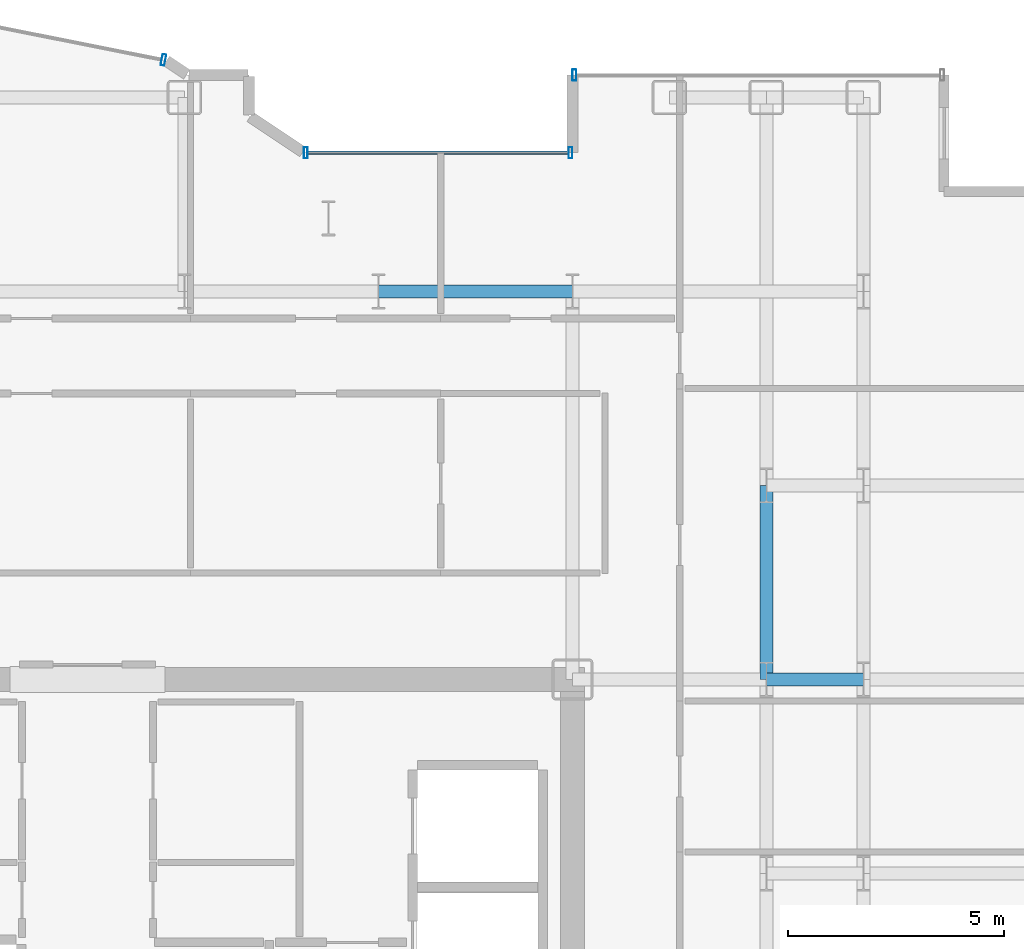
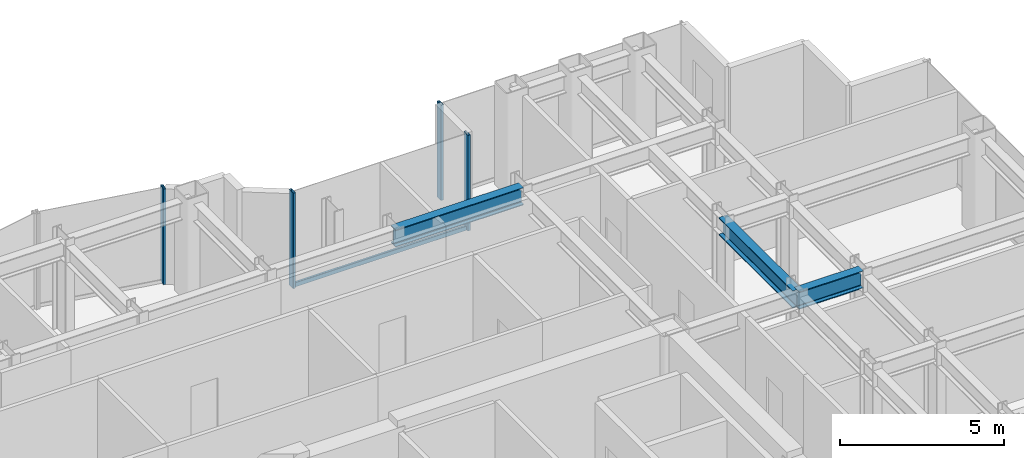
# One storey, part 13 of 23: 5 members, 3 beams, 3 elements without a shape of their own.
"""IFC4 building model written with IfcOpenShell, lengths in metres."""

from ifc_helpers import new_model, si_unit, direction, frame, origin, origin_2d, place, context, subcontext, project, spatial, hollow_rectangle, i_section, extrude, source, transform, mapped, material, layer, layer_set, material_profile, profile_set, type_object, element, aggregate, save


model = new_model("IFC4")

# Units and contexts
model_context = context("Model", 3, precision=1e-05, world=origin(), true_north=direction((0.0, 1.0)))
body_context = subcontext(model_context, "Body", "Model", "MODEL_VIEW")
ifc_project = project(units=[si_unit("LENGTHUNIT", "METRE"), si_unit("AREAUNIT", "SQUARE_METRE"), si_unit("VOLUMEUNIT", "CUBIC_METRE"), si_unit("PLANEANGLEUNIT", "RADIAN"), si_unit("MASSUNIT", "GRAM", prefix="KILO")], contexts=[model_context])

# Site, building, storey
site_placement = place(None, origin())
site = spatial("IfcSite", under=ifc_project, at=site_placement, CompositionType="ELEMENT")
building_placement = place(site_placement, origin())
building = spatial("IfcBuilding", under=site, at=building_placement, Name="Nefas-Gora Pilgrimage Tower", CompositionType="ELEMENT")
storey_placement = place(building_placement, frame((0.0, 0.0, 152.60009765625)))
storey = spatial("IfcBuildingStorey", under=building, at=storey_placement, Name="L37", CompositionType="ELEMENT", Elevation=152.60009765625)

# Beams
ifc_material_1 = material(Name="Steel S355", Category="steel")
ifc_material_profile_1 = material_profile(ifc_material_1, i_section(OverallWidth=0.300048828125, OverallDepth=0.64990234375, WebThickness=0.01611328125, FlangeThickness=0.031005859375, FilletRadius=0.027099609375, at=origin_2d()), Name="HEB 650")
ifc_profile_set_1 = profile_set([ifc_material_profile_1], Name="Steel S355")
beam_type = type_object("IfcBeamType", Name="BM-GIR-HEB650", PredefinedType="BEAM", material=ifc_profile_set_1)
shared_shape_1 = source(origin(), body_context, "Body", "SweptSolid", [
    extrude(i_section(OverallWidth=0.300048828125, OverallDepth=0.64990234375, WebThickness=0.01611328125, FlangeThickness=0.031005859375, FilletRadius=0.027099609375, at=origin_2d()), origin(), (0.0, 0.0, 1.0), 4.5),
])
for number, where, z_axis, x_axis, name in (
    (1, (6.75, 18.0, 3.224853515625), (1.0, 0.0, 0.0), (0.0, 1.0, 0.0), "L37 G-03 beam"),
    (2, (15.75, 9.0, 3.224853515625), (0.0, 1.0, 0.0), (-1.0, 0.0, 0.0), "L37 G-03 beam"),
):
    element("IfcBeam", number, at=place(storey_placement, frame(where, z_axis=z_axis, x_axis=x_axis)), inside=storey, type_object=beam_type, Name=name, PredefinedType="BEAM", context=body_context, shape_type="MappedRepresentation", body=[
        mapped(shared_shape_1, transform((0.0, 0.0, 0.0), x_axis=(1.0, 0.0, 0.0), y_axis=(0.0, 1.0, 0.0), z_axis=(0.0, 0.0, 1.0), scale=1.0)),
    ])
shared_shape_2 = source(origin(), body_context, "Body", "SweptSolid", [
    extrude(i_section(OverallWidth=0.300048828125, OverallDepth=0.64990234375, WebThickness=0.01611328125, FlangeThickness=0.031005859375, FilletRadius=0.027099609375, at=origin_2d()), origin(), (0.0, 0.0, 1.0), 2.25),
])
beam_placement = place(storey_placement, frame((15.75, 9.0, 3.224853515625), z_axis=(1.0, 0.0, 0.0), x_axis=(0.0, 1.0, 0.0)))
element("IfcBeam", 3, at=beam_placement, inside=storey, type_object=beam_type, Name="L37 G-03 beam", PredefinedType="BEAM", context=body_context, shape_type="MappedRepresentation", body=[
    mapped(shared_shape_2, transform((0.0, 0.0, 0.0), x_axis=(1.0, 0.0, 0.0), y_axis=(0.0, 1.0, 0.0), z_axis=(0.0, 0.0, 1.0), scale=1.0)),
])

# Curtain wall, members
ifc_material_2 = material(Name="Dark ceramic-fritted solar-control aluminium-glass curtain wall", Category="aluminium")
ifc_layer_1 = layer(ifc_material_2, 0.219970703125)
ifc_layer_set_1 = layer_set([ifc_layer_1], Name="Dark ceramic-fritted solar-control aluminium-glass curtain wall")
curtain_wall_type_1 = type_object("IfcCurtainWallType", Name="CW-SYS-5", PredefinedType="NOTDEFINED", material=ifc_layer_set_1)
curtain_wall_1_placement = place(storey_placement, origin())
curtain_wall_1 = element("IfcCurtainWall", 4, at=curtain_wall_1_placement, inside=storey, type_object=curtain_wall_type_1, Name="L37 Unitised Curtain Wall CW5", PredefinedType="NOTDEFINED")
ifc_material_3 = material(Name="Anodised architectural aluminium", Category="aluminium")
ifc_material_profile_2 = material_profile(ifc_material_3, hollow_rectangle(XDim=0.080078125, YDim=0.159912109375, WallThickness=0.00439453125, InnerFilletRadius=0.00439453125, OuterFilletRadius=0.009033203125, at=origin_2d()), Name="ALU TRANSOM 80x160")
ifc_profile_set_2 = profile_set([ifc_material_profile_2], Name="Anodised architectural aluminium")
member_type_1 = type_object("IfcMemberType", Name="CWM-TRN-5", PredefinedType="USERDEFINED", material=ifc_profile_set_2)
shared_shape_3 = source(origin(), body_context, "Body", "SweptSolid", [
    extrude(hollow_rectangle(XDim=0.080078125, YDim=0.159912109375, WallThickness=0.00439453125, InnerFilletRadius=0.00439453125, OuterFilletRadius=0.009033203125, at=origin_2d()), origin(), (0.0, 0.0, 1.0), 6.052001953125),
])
member_1_placement = place(storey_placement, frame((11.159912109375, 21.219970703125, 0.0498046875), z_axis=(-1.0, 0.0, 0.0), x_axis=(0.0, -1.0, 0.0)))
member_1 = element("IfcMember", 5, at=member_1_placement, type_object=member_type_1, Name="CW5 Spandrel Transom", ObjectType="TRANSOM", PredefinedType="USERDEFINED", context=body_context, shape_type="MappedRepresentation", body=[
    mapped(shared_shape_3, transform((0.0, 0.0, 0.0), x_axis=(1.0, 0.0, 0.0), y_axis=(0.0, 1.0, 0.0), z_axis=(0.0, 0.0, 1.0), scale=1.0)),
])
ifc_material_profile_3 = material_profile(ifc_material_3, hollow_rectangle(XDim=0.090087890625, YDim=0.260009765625, WallThickness=0.006103515625, InnerFilletRadius=0.006103515625, OuterFilletRadius=0.011962890625, at=origin_2d()), Name="ALU MULLION 90x260")
ifc_profile_set_3 = profile_set([ifc_material_profile_3], Name="Anodised architectural aluminium")
member_type_2 = type_object("IfcMemberType", Name="CWM-MUL-5", PredefinedType="MULLION", material=ifc_profile_set_3)
shared_shape_4 = source(origin(), body_context, "Body", "SweptSolid", [
    extrude(hollow_rectangle(XDim=0.090087890625, YDim=0.260009765625, WallThickness=0.006103515625, InnerFilletRadius=0.006103515625, OuterFilletRadius=0.011962890625, at=origin_2d()), origin(), (0.0, 0.0, 1.0), 3.5498046875),
])
member_2_placement = place(storey_placement, frame((11.205078125, 21.219970703125, 0.0), z_axis=(0.0, 0.0, 1.0), x_axis=(-1.0, 0.0, 0.0)))
member_2 = element("IfcMember", 6, at=member_2_placement, type_object=member_type_2, Name="CW5 Mullion 1", PredefinedType="MULLION", context=body_context, shape_type="MappedRepresentation", body=[
    mapped(shared_shape_4, transform((0.0, 0.0, 0.0), x_axis=(1.0, 0.0, 0.0), y_axis=(0.0, 1.0, 0.0), z_axis=(0.0, 0.0, 1.0), scale=1.0)),
])
member_3_placement = place(storey_placement, frame((5.06298828125, 21.219970703125, 0.0), z_axis=(0.0, 0.0, 1.0), x_axis=(-1.0, 0.0, 0.0)))
member_3 = element("IfcMember", 7, at=member_3_placement, type_object=member_type_2, Name="CW5 Mullion 2", PredefinedType="MULLION", context=body_context, shape_type="MappedRepresentation", body=[
    mapped(shared_shape_4, transform((0.0, 0.0, 0.0), x_axis=(1.0, 0.0, 0.0), y_axis=(0.0, 1.0, 0.0), z_axis=(0.0, 0.0, 1.0), scale=1.0)),
])
aggregate(curtain_wall_1, [member_2, member_3, member_1])

# Curtain wall, member
curtain_wall_2_placement = place(storey_placement, origin())
curtain_wall_2 = element("IfcCurtainWall", 8, at=curtain_wall_2_placement, inside=storey, type_object=curtain_wall_type_1, Name="L37 Unitised Curtain Wall CW5", PredefinedType="NOTDEFINED")
member_4_placement = place(storey_placement, frame((1.76318359375, 23.3740234375, 0.0), z_axis=(0.0, 0.0, 1.0), x_axis=(-0.980782896852, 0.195102304554, 0.0)))
member_4 = element("IfcMember", 9, at=member_4_placement, type_object=member_type_2, Name="CW5 Mullion 1", PredefinedType="MULLION", context=body_context, shape_type="MappedRepresentation", body=[
    mapped(shared_shape_4, transform((0.0, 0.0, 0.0), x_axis=(1.0, 0.0, 0.0), y_axis=(0.0, 1.0, 0.0), z_axis=(0.0, 0.0, 1.0), scale=1.0)),
])
aggregate(curtain_wall_2, [member_4])

ifc_layer_2 = layer(ifc_material_2, 0.219970703125)
ifc_layer_set_2 = layer_set([ifc_layer_2], Name="Dark ceramic-fritted solar-control aluminium-glass curtain wall")
curtain_wall_type_2 = type_object("IfcCurtainWallType", Name="CW-SYS-3", PredefinedType="NOTDEFINED", material=ifc_layer_set_2)
curtain_wall_3_placement = place(storey_placement, origin())
curtain_wall_3 = element("IfcCurtainWall", 10, at=curtain_wall_3_placement, inside=storey, type_object=curtain_wall_type_2, Name="L37 Unitised Curtain Wall CW3", PredefinedType="NOTDEFINED")
ifc_material_profile_4 = material_profile(ifc_material_3, hollow_rectangle(XDim=0.090087890625, YDim=0.260009765625, WallThickness=0.006103515625, InnerFilletRadius=0.006103515625, OuterFilletRadius=0.011962890625, at=origin_2d()), Name="ALU MULLION 90x260")
ifc_profile_set_4 = profile_set([ifc_material_profile_4], Name="Anodised architectural aluminium")
member_type_3 = type_object("IfcMemberType", Name="CWM-MUL-3", PredefinedType="MULLION", material=ifc_profile_set_4)
shared_shape_5 = source(origin(), body_context, "Body", "SweptSolid", [
    extrude(hollow_rectangle(XDim=0.090087890625, YDim=0.260009765625, WallThickness=0.006103515625, InnerFilletRadius=0.006103515625, OuterFilletRadius=0.011962890625, at=origin_2d()), origin(), (0.0, 0.0, 1.0), 3.5498046875),
])
member_5_placement = place(storey_placement, frame((11.294921875, 23.02001953125, 0.0), z_axis=(0.0, 0.0, 1.0), x_axis=(-1.0, 0.0, 0.0)))
member_5 = element("IfcMember", 11, at=member_5_placement, type_object=member_type_3, Name="CW3 Mullion 2", PredefinedType="MULLION", context=body_context, shape_type="MappedRepresentation", body=[
    mapped(shared_shape_5, transform((0.0, 0.0, 0.0), x_axis=(1.0, 0.0, 0.0), y_axis=(0.0, 1.0, 0.0), z_axis=(0.0, 0.0, 1.0), scale=1.0)),
])
aggregate(curtain_wall_3, [member_5])

save(model, "model.ifc")
